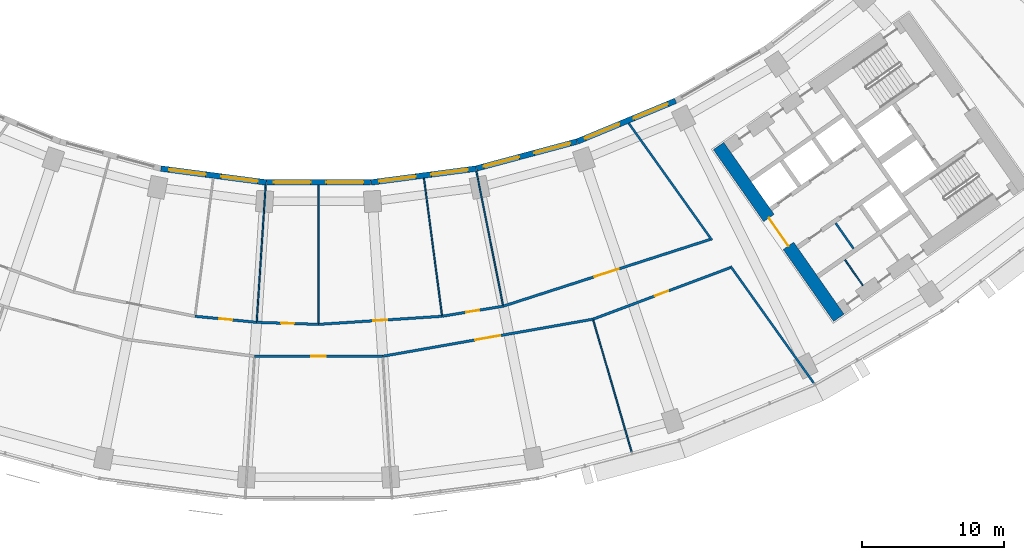
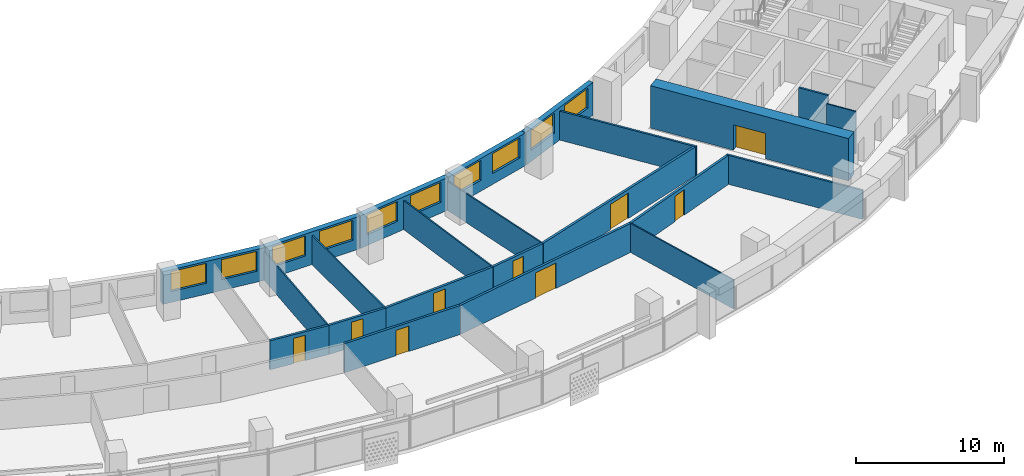
# One storey, part 6 of 29: 23 walls, 10 windows, 9 doors, 19 openings.
"""IFC4 building model written with IfcOpenShell, lengths in metres."""

from ifc_helpers import new_model, si_unit, direction, frame, frame_2d, origin, place, context, subcontext, project, spatial, rectangle, extrude, material, layer, layer_set, type_object, element, fill, save


model = new_model("IFC4")

# Units and contexts
model_context = context("Model", 3, precision=1e-05, world=origin(), true_north=direction((0.0, 1.0)))
body_context = subcontext(model_context, "Body", "Model", "MODEL_VIEW")
ifc_project = project(units=[si_unit("LENGTHUNIT", "METRE"), si_unit("AREAUNIT", "SQUARE_METRE"), si_unit("VOLUMEUNIT", "CUBIC_METRE"), si_unit("PLANEANGLEUNIT", "RADIAN"), si_unit("MASSUNIT", "GRAM", prefix="KILO")], contexts=[model_context])

# Site, building, storey
site_placement = place(None, origin())
site = spatial("IfcSite", under=ifc_project, at=site_placement, CompositionType="ELEMENT")
building_placement = place(site_placement, origin())
building = spatial("IfcBuilding", under=site, at=building_placement, Name="Qamariyya Broadcast Tower", CompositionType="ELEMENT")
storey_placement = place(building_placement, frame((0.0, 0.0, 129.10009765625)))
storey = spatial("IfcBuildingStorey", under=building, at=storey_placement, Name="L29", CompositionType="ELEMENT", Elevation=129.10009765625)

# Wall, opening, door
ifc_material_1 = material(Name="Concrete C70/85", Category="concrete")
ifc_layer_1 = layer(ifc_material_1, 0.89990234375)
ifc_layer_set_1 = layer_set([ifc_layer_1], Name="Core wall 900 mm Concrete C70/85")
wall_type_1 = type_object("IfcWallType", Name="Core wall 900 mm Concrete C70/85", PredefinedType="SHEAR", material=ifc_layer_set_1)
wall_1_placement = place(storey_placement, frame((36.716796875, -66.3369140625, 0.0), z_axis=(0.0, 0.0, 1.0), x_axis=(-0.573577477574, 0.819151315216, 0.0)))
wall_1 = element("IfcWall", 1, at=wall_1_placement, inside=storey, type_object=wall_type_1, Name="k-E-L29-WA", PredefinedType="SHEAR", context=body_context, shape_type="SweptSolid", body=[
    extrude(rectangle(XDim=14.800048828125, YDim=0.89990234375, at=frame_2d((7.39990234375, 0.0))), origin(), (0.0, 0.0, 1.0), 3.5),
])
opening_1_placement = place(wall_1_placement, frame((6.199951171875, 0.0, 0.0)))
opening_1 = element("IfcOpeningElement", 2, at=opening_1_placement, cuts=wall_1, Name="Opening KD3-E1", PredefinedType="OPENING", context=body_context, shape_type="SweptSolid", body=[
    extrude(rectangle(XDim=2.39990234375, YDim=2.10009765625, at=frame_2d((1.199951171875, 1.050048828125))), frame((0.0, 0.4599609375, 0.0), z_axis=(0.0, -1.0, 0.0), x_axis=(1.0, 0.0, 0.0)), (0.0, 0.0, 1.0), 0.919921875),
])
ifc_material_2 = material(Name="Steel fire-resisting door leaf", Category="steel")
door_type_1 = type_object("IfcDoorType", Name="Lift lobby door KD3", OperationType="DOUBLE_DOOR_SINGLE_SWING", PredefinedType="DOOR", material=ifc_material_2)
door_1_placement = place(opening_1_placement, origin())
door_1 = element("IfcDoor", 3, at=door_1_placement, inside=storey, type_object=door_type_1, Name="k-E-L29-WA-D1", OperationType="DOUBLE_DOOR_SINGLE_SWING", OverallHeight=2.10009765625, OverallWidth=2.39990234375, PredefinedType="DOOR", context=body_context, shape_type="SweptSolid", body=[
    extrude(rectangle(XDim=2.39990234375, YDim=2.10009765625, at=frame_2d((1.199951171875, 1.050048828125))), frame((0.0, 0.02490234375, 0.0), z_axis=(0.0, -1.0, 0.0), x_axis=(1.0, 0.0, 0.0)), (0.0, 0.0, 1.0), 0.050048828125),
])
fill(opening_1, door_1)

# Walls
ifc_material_3 = material(Name="Gypsum board partition")
ifc_layer_2 = layer(ifc_material_3, 0.14990234375)
ifc_layer_set_2 = layer_set([ifc_layer_2], Name="Corridor partition 150 EI 60")
wall_type_2 = type_object("IfcWallType", Name="Corridor partition 150 EI 60", PredefinedType="PARTITIONING", material=ifc_layer_set_2)
wall_2_placement = place(storey_placement, frame((21.8837890625, -52.59765625, 0.0), z_axis=(0.0, 0.0, 1.0), x_axis=(0.580023139251, -0.814599998732, 0.0)))
element("IfcWall", 4, at=wall_2_placement, inside=storey, type_object=wall_type_2, Name="Partition L29-032", PredefinedType="PARTITIONING", context=body_context, shape_type="SweptSolid", body=[
    extrude(rectangle(XDim=10.135986328125, YDim=0.14990234375, at=frame_2d((5.06787109375, 0.0))), origin(), (0.0, 0.0, 1.0), 2.39990234375),
])
wall_3_placement = place(storey_placement, frame((29.075439453125, -62.697998046875, 0.0), z_axis=(0.0, 0.0, 1.0), x_axis=(0.58002146853, -0.814601188339, 0.0)))
element("IfcWall", 5, at=wall_3_placement, inside=storey, type_object=wall_type_2, Name="Partition L29-034", PredefinedType="PARTITIONING", context=body_context, shape_type="SweptSolid", body=[
    extrude(rectangle(XDim=10.14111328125, YDim=0.14990234375, at=frame_2d((5.070556640625, 0.0))), origin(), (0.0, 0.0, 1.0), 2.39990234375),
])
ifc_material_4 = material(Name="Gypsum board partition on steel studs", Category="steel")
ifc_layer_3 = layer(ifc_material_4, 0.14990234375)
ifc_layer_set_3 = layer_set([ifc_layer_3], Name="Gypsum board partition 150 mm")
wall_type_3 = type_object("IfcWallType", Name="Gypsum board partition 150 mm", PredefinedType="PARTITIONING", material=ifc_layer_set_3)
wall_4_placement = place(storey_placement, frame((36.49462890625, -59.65625, 0.0), z_axis=(0.0, 0.0, 1.0), x_axis=(0.573633636671, -0.819111989218, 0.0)))
element("IfcWall", 6, at=wall_4_placement, inside=storey, type_object=wall_type_3, Name="k-E-L29-SC320", PredefinedType="PARTITIONING", context=body_context, shape_type="SweptSolid", body=[
    extrude(rectangle(XDim=2.199951171875, YDim=0.14990234375, at=frame_2d((1.10009765625, 0.0))), origin(), (0.0, 0.0, 1.0), 3.5),
])
ifc_layer_4 = layer(ifc_material_3, 0.10009765625)
ifc_layer_set_4 = layer_set([ifc_layer_4], Name="Partition 100")
wall_type_4 = type_object("IfcWallType", Name="Partition 100", PredefinedType="PARTITIONING", material=ifc_layer_set_4)
wall_5_placement = place(storey_placement, frame((-3.734619140625, -56.977783203125, 0.0), z_axis=(0.0, 0.0, 1.0), x_axis=(-0.065392602582, -0.997859613136, 0.0)))
element("IfcWall", 7, at=wall_5_placement, inside=storey, type_object=wall_type_4, Name="Partition L29-022", PredefinedType="PARTITIONING", context=body_context, shape_type="SweptSolid", body=[
    extrude(rectangle(XDim=9.60986328125, YDim=0.10009765625, at=frame_2d((4.804931640625, 0.0))), origin(), (0.0, 0.0, 1.0), 2.39990234375),
])
for number, where, z_axis, x_axis, name in (
    (8, (0.0, -56.978515625, 0.0), (0.0, 0.0, 1.0), (0.0, -1.0, 0.0), "Partition L29-024"),
    (9, (7.437255859375, -56.4912109375, 0.0), (0.0, 0.0, 1.0), (0.130531739513, -0.991444131043, 0.0), "Partition L29-027"),
):
    element("IfcWall", number, at=place(storey_placement, frame(where, z_axis=z_axis, x_axis=x_axis)), inside=storey, type_object=wall_type_4, Name=name, PredefinedType="PARTITIONING", context=body_context, shape_type="SweptSolid", body=[
        extrude(rectangle(XDim=9.7314453125, YDim=0.10009765625, at=frame_2d((4.86572265625, 0.0))), origin(), (0.0, 0.0, 1.0), 2.39990234375),
    ])
wall_6_placement = place(storey_placement, frame((11.1396484375, -56.0029296875, 0.0), z_axis=(0.0, 0.0, 1.0), x_axis=(0.195085169116, -0.980786305365, 0.0)))
element("IfcWall", 10, at=wall_6_placement, inside=storey, type_object=wall_type_4, Name="Partition L29-029", PredefinedType="PARTITIONING", context=body_context, shape_type="SweptSolid", body=[
    extrude(rectangle(XDim=9.60986328125, YDim=0.10009765625, at=frame_2d((4.804931640625, 0.0))), origin(), (0.0, 0.0, 1.0), 2.39990234375),
])
wall_7_placement = place(storey_placement, frame((22.09423828125, -75.79443359375, 0.0), z_axis=(0.0, 0.0, 1.0), x_axis=(-0.279851497416, 0.960043300791, 0.0)))
element("IfcWall", 11, at=wall_7_placement, inside=storey, type_object=wall_type_4, Name="Partition L29-033", PredefinedType="PARTITIONING", context=body_context, shape_type="SweptSolid", body=[
    extrude(rectangle(XDim=9.6591796875, YDim=0.10009765625, at=frame_2d((4.82958984375, 0.0))), origin(), (0.0, 0.0, 1.0), 2.39990234375),
])
ifc_material_5 = material(Name="Fire-rated gypsum shaft liner on steel studs", Category="steel")
ifc_layer_5 = layer(ifc_material_5, 0.10009765625)
ifc_layer_set_5 = layer_set([ifc_layer_5], Name="Riser wall 100 mm")
wall_type_5 = type_object("IfcWallType", Name="Riser wall 100 mm", PredefinedType="PLUMBINGWALL", material=ifc_layer_set_5)
wall_8_placement = place(storey_placement, frame((37.150390625, -62.2490234375, 0.0), z_axis=(0.0, 0.0, 1.0), x_axis=(0.573633636671, -0.819111989218, 0.0)))
element("IfcWall", 12, at=wall_8_placement, inside=storey, type_object=wall_type_5, Name="k-E-L29-SP225", PredefinedType="PLUMBINGWALL", context=body_context, shape_type="SweptSolid", body=[
    extrude(rectangle(XDim=2.199951171875, YDim=0.10009765625, at=frame_2d((1.10009765625, 0.0))), origin(), (0.0, 0.0, 1.0), 3.5),
])

# Wall, opening, door
ifc_layer_6 = layer(ifc_material_3, 0.179931640625)
ifc_layer_set_6 = layer_set([ifc_layer_6], Name="Studio acoustic partition 180 EI 60")
wall_type_6 = type_object("IfcWallType", Name="Studio acoustic partition 180 EI 60", PredefinedType="PARTITIONING", material=ifc_layer_set_6)
wall_9_placement = place(storey_placement, frame((-8.71923828125, -66.228515625, 0.0), z_axis=(0.0, 0.0, 1.0), x_axis=(0.995184826457, -0.098016127192, 0.0)))
wall_9 = element("IfcWall", 13, at=wall_9_placement, inside=storey, type_object=wall_type_6, Name="Partition L29-017", PredefinedType="PARTITIONING", context=body_context, shape_type="SweptSolid", body=[
    extrude(rectangle(XDim=4.371337890625, YDim=0.179931640625, at=frame_2d((2.185546875, 0.0))), origin(), (0.0, 0.0, 1.0), 2.39990234375),
])
opening_2_placement = place(wall_9_placement, frame((1.735595703125, 0.0, 0.0)))
opening_2 = element("IfcOpeningElement", 14, at=opening_2_placement, cuts=wall_9, Name="Opening L29-D08", PredefinedType="OPENING", context=body_context, shape_type="SweptSolid", body=[
    extrude(rectangle(XDim=0.89990234375, YDim=2.10009765625, at=frame_2d((0.449951171875, 1.050048828125))), frame((0.0, 0.099853515625, 0.0), z_axis=(0.0, -1.0, 0.0), x_axis=(1.0, 0.0, 0.0)), (0.0, 0.0, 1.0), 0.199951171875),
])
ifc_material_6 = material(Name="Timber fire door leaf", Category="wood")
door_type_2 = type_object("IfcDoorType", Name="Fire door 900 x 2100 FD60", OperationType="NOTDEFINED", PredefinedType="DOOR", material=ifc_material_6)
door_2_placement = place(opening_2_placement, origin())
door_2 = element("IfcDoor", 15, at=door_2_placement, inside=storey, type_object=door_type_2, Name="Door L29-D08", OperationType="SINGLE_SWING_RIGHT", OverallHeight=2.10009765625, OverallWidth=0.89990234375, PredefinedType="DOOR", context=body_context, shape_type="SweptSolid", body=[
    extrude(rectangle(XDim=0.89990234375, YDim=2.10009765625, at=frame_2d((0.449951171875, 1.050048828125))), frame((0.0, 0.02490234375, 0.0), z_axis=(0.0, -1.0, 0.0), x_axis=(1.0, 0.0, 0.0)), (0.0, 0.0, 1.0), 0.050048828125),
])
fill(opening_2, door_2)

wall_10_placement = place(storey_placement, frame((4.52587890625, -69.0517578125, 0.0), z_axis=(0.0, 0.0, 1.0), x_axis=(-1.0, 0.0, 0.0)))
wall_10 = element("IfcWall", 16, at=wall_10_placement, inside=storey, type_object=wall_type_6, Name="Partition L29-020", PredefinedType="PARTITIONING", context=body_context, shape_type="SweptSolid", body=[
    extrude(rectangle(XDim=9.0517578125, YDim=0.179931640625, at=frame_2d((4.52587890625, 0.0))), origin(), (0.0, 0.0, 1.0), 2.39990234375),
])
opening_3_placement = place(wall_10_placement, frame((4.02587890625, 0.0, 0.0)))
opening_3 = element("IfcOpeningElement", 17, at=opening_3_placement, cuts=wall_10, Name="Opening L29-D03", PredefinedType="OPENING", context=body_context, shape_type="SweptSolid", body=[
    extrude(rectangle(XDim=1.0, YDim=2.10009765625, at=frame_2d((0.5, 1.050048828125))), frame((0.0, 0.099853515625, 0.0), z_axis=(0.0, -1.0, 0.0), x_axis=(1.0, 0.0, 0.0)), (0.0, 0.0, 1.0), 0.199951171875),
])
door_type_3 = type_object("IfcDoorType", Name="Fire door 1000 x 2100 FD60", OperationType="NOTDEFINED", PredefinedType="DOOR", material=ifc_material_6)
door_3_placement = place(opening_3_placement, origin())
door_3 = element("IfcDoor", 18, at=door_3_placement, inside=storey, type_object=door_type_3, Name="Door L29-D03", OperationType="SINGLE_SWING_RIGHT", OverallHeight=2.10009765625, OverallWidth=1.0, PredefinedType="DOOR", context=body_context, shape_type="SweptSolid", body=[
    extrude(rectangle(XDim=1.0, YDim=2.10009765625, at=frame_2d((0.5, 1.050048828125))), frame((0.0, 0.02490234375, 0.0), z_axis=(0.0, -1.0, 0.0), x_axis=(1.0, 0.0, 0.0)), (0.0, 0.0, 1.0), 0.050048828125),
])
fill(opening_3, door_3)

wall_11_placement = place(storey_placement, frame((-4.368896484375, -66.656982421875, 0.0), z_axis=(0.0, 0.0, 1.0), x_axis=(0.99946426167, -0.03272903366, 0.0)))
wall_11 = element("IfcWall", 19, at=wall_11_placement, inside=storey, type_object=wall_type_6, Name="Partition L29-021", PredefinedType="PARTITIONING", context=body_context, shape_type="SweptSolid", body=[
    extrude(rectangle(XDim=4.371337890625, YDim=0.179931640625, at=frame_2d((2.185546875, 0.0))), origin(), (0.0, 0.0, 1.0), 2.39990234375),
])
opening_4_placement = place(wall_11_placement, frame((1.735595703125, 0.0, 0.0)))
opening_4 = element("IfcOpeningElement", 20, at=opening_4_placement, cuts=wall_11, Name="Opening L29-D09", PredefinedType="OPENING", context=body_context, shape_type="SweptSolid", body=[
    extrude(rectangle(XDim=0.89990234375, YDim=2.10009765625, at=frame_2d((0.449951171875, 1.050048828125))), frame((0.0, 0.099853515625, 0.0), z_axis=(0.0, -1.0, 0.0), x_axis=(1.0, 0.0, 0.0)), (0.0, 0.0, 1.0), 0.199951171875),
])
door_4_placement = place(opening_4_placement, origin())
door_4 = element("IfcDoor", 21, at=door_4_placement, inside=storey, type_object=door_type_2, Name="Door L29-D09", OperationType="SINGLE_SWING_RIGHT", OverallHeight=2.10009765625, OverallWidth=0.89990234375, PredefinedType="DOOR", context=body_context, shape_type="SweptSolid", body=[
    extrude(rectangle(XDim=0.89990234375, YDim=2.10009765625, at=frame_2d((0.449951171875, 1.050048828125))), frame((0.0, 0.02490234375, 0.0), z_axis=(0.0, -1.0, 0.0), x_axis=(1.0, 0.0, 0.0)), (0.0, 0.0, 1.0), 0.050048828125),
])
fill(opening_4, door_4)

wall_12_placement = place(storey_placement, frame((0.0, -66.800048828125, 0.0), z_axis=(0.0, 0.0, 1.0), x_axis=(0.997858593599, 0.065408158359, 0.0)))
wall_12 = element("IfcWall", 22, at=wall_12_placement, inside=storey, type_object=wall_type_6, Name="Partition L29-023", PredefinedType="PARTITIONING", context=body_context, shape_type="SweptSolid", body=[
    extrude(rectangle(XDim=8.738037109375, YDim=0.179931640625, at=frame_2d((4.369140625, 0.0))), origin(), (0.0, 0.0, 1.0), 2.39990234375),
])
opening_5_placement = place(wall_12_placement, frame((3.868896484375, 0.0, 0.0)))
opening_5 = element("IfcOpeningElement", 23, at=opening_5_placement, cuts=wall_12, Name="Opening L29-D10", PredefinedType="OPENING", context=body_context, shape_type="SweptSolid", body=[
    extrude(rectangle(XDim=1.0, YDim=2.10009765625, at=frame_2d((0.5, 1.050048828125))), frame((0.0, 0.099853515625, 0.0), z_axis=(0.0, -1.0, 0.0), x_axis=(1.0, 0.0, 0.0)), (0.0, 0.0, 1.0), 0.199951171875),
])
door_5_placement = place(opening_5_placement, origin())
door_5 = element("IfcDoor", 24, at=door_5_placement, inside=storey, type_object=door_type_3, Name="Door L29-D10", OperationType="SINGLE_SWING_RIGHT", OverallHeight=2.10009765625, OverallWidth=1.0, PredefinedType="DOOR", context=body_context, shape_type="SweptSolid", body=[
    extrude(rectangle(XDim=1.0, YDim=2.10009765625, at=frame_2d((0.5, 1.050048828125))), frame((0.0, 0.02490234375, 0.0), z_axis=(0.0, -1.0, 0.0), x_axis=(1.0, 0.0, 0.0)), (0.0, 0.0, 1.0), 0.050048828125),
])
fill(opening_5, door_5)

wall_13_placement = place(storey_placement, frame((19.365966796875, -66.434814453125, 0.0), z_axis=(0.0, 0.0, 1.0), x_axis=(-0.984805080703, -0.173663332402, 0.0)))
wall_13 = element("IfcWall", 25, at=wall_13_placement, inside=storey, type_object=wall_type_6, Name="Partition L29-025", PredefinedType="PARTITIONING", context=body_context, shape_type="SweptSolid", body=[
    extrude(rectangle(XDim=15.069091796875, YDim=0.179931640625, at=frame_2d((7.53466796875, 0.0))), origin(), (0.0, 0.0, 1.0), 2.39990234375),
])
opening_6_placement = place(wall_13_placement, frame((6.634521484375, 0.0, 0.0)))
opening_6 = element("IfcOpeningElement", 26, at=opening_6_placement, cuts=wall_13, Name="Opening L29-D04", PredefinedType="OPENING", context=body_context, shape_type="SweptSolid", body=[
    extrude(rectangle(XDim=1.800048828125, YDim=2.10009765625, at=frame_2d((0.89990234375, 1.050048828125))), frame((0.0, 0.099853515625, 0.0), z_axis=(0.0, -1.0, 0.0), x_axis=(1.0, 0.0, 0.0)), (0.0, 0.0, 1.0), 0.199951171875),
])
door_type_4 = type_object("IfcDoorType", Name="Double fire door 1800 x 2100 FD60", OperationType="NOTDEFINED", PredefinedType="DOOR", material=ifc_material_6)
door_6_placement = place(opening_6_placement, origin())
door_6 = element("IfcDoor", 27, at=door_6_placement, inside=storey, type_object=door_type_4, Name="Door L29-D04", OperationType="DOUBLE_DOOR_SINGLE_SWING", OverallHeight=2.10009765625, OverallWidth=1.800048828125, PredefinedType="DOOR", context=body_context, shape_type="SweptSolid", body=[
    extrude(rectangle(XDim=1.800048828125, YDim=2.10009765625, at=frame_2d((0.89990234375, 1.050048828125))), frame((0.0, 0.02490234375, 0.0), z_axis=(0.0, -1.0, 0.0), x_axis=(1.0, 0.0, 0.0)), (0.0, 0.0, 1.0), 0.050048828125),
])
fill(opening_6, door_6)

wall_14_placement = place(storey_placement, frame((8.71923828125, -66.228515625, 0.0), z_axis=(0.0, 0.0, 1.0), x_axis=(0.986638873051, 0.162922479065, 0.0)))
wall_14 = element("IfcWall", 28, at=wall_14_placement, inside=storey, type_object=wall_type_6, Name="Partition L29-028", PredefinedType="PARTITIONING", context=body_context, shape_type="SweptSolid", body=[
    extrude(rectangle(XDim=4.37109375, YDim=0.179931640625, at=frame_2d((2.185546875, 0.0))), origin(), (0.0, 0.0, 1.0), 2.39990234375),
])
opening_7_placement = place(wall_14_placement, frame((1.735595703125, 0.0, 0.0)))
opening_7 = element("IfcOpeningElement", 29, at=opening_7_placement, cuts=wall_14, Name="Opening L29-D11", PredefinedType="OPENING", context=body_context, shape_type="SweptSolid", body=[
    extrude(rectangle(XDim=0.89990234375, YDim=2.10009765625, at=frame_2d((0.449951171875, 1.050048828125))), frame((0.0, 0.099853515625, 0.0), z_axis=(0.0, -1.0, 0.0), x_axis=(1.0, 0.0, 0.0)), (0.0, 0.0, 1.0), 0.199951171875),
])
door_7_placement = place(opening_7_placement, origin())
door_7 = element("IfcDoor", 30, at=door_7_placement, inside=storey, type_object=door_type_2, Name="Door L29-D11", OperationType="SINGLE_SWING_RIGHT", OverallHeight=2.10009765625, OverallWidth=0.89990234375, PredefinedType="DOOR", context=body_context, shape_type="SweptSolid", body=[
    extrude(rectangle(XDim=0.89990234375, YDim=2.10009765625, at=frame_2d((0.449951171875, 1.050048828125))), frame((0.0, 0.02490234375, 0.0), z_axis=(0.0, -1.0, 0.0), x_axis=(1.0, 0.0, 0.0)), (0.0, 0.0, 1.0), 0.050048828125),
])
fill(opening_7, door_7)

wall_15_placement = place(storey_placement, frame((13.031982421875, -65.516357421875, 0.0), z_axis=(0.0, 0.0, 1.0), x_axis=(0.951705469381, 0.307012539729, 0.0)))
wall_15 = element("IfcWall", 31, at=wall_15_placement, inside=storey, type_object=wall_type_6, Name="Partition L29-030", PredefinedType="PARTITIONING", context=body_context, shape_type="SweptSolid", body=[
    extrude(rectangle(XDim=15.348388671875, YDim=0.179931640625, at=frame_2d((7.67431640625, 0.0))), origin(), (0.0, 0.0, 1.0), 2.39990234375),
])
opening_8_placement = place(wall_15_placement, frame((6.774169921875, 0.0, 0.0)))
opening_8 = element("IfcOpeningElement", 32, at=opening_8_placement, cuts=wall_15, Name="Opening L29-D12", PredefinedType="OPENING", context=body_context, shape_type="SweptSolid", body=[
    extrude(rectangle(XDim=1.800048828125, YDim=2.10009765625, at=frame_2d((0.89990234375, 1.050048828125))), frame((0.0, 0.099853515625, 0.0), z_axis=(0.0, -1.0, 0.0), x_axis=(1.0, 0.0, 0.0)), (0.0, 0.0, 1.0), 0.199951171875),
])
door_8_placement = place(opening_8_placement, origin())
door_8 = element("IfcDoor", 33, at=door_8_placement, inside=storey, type_object=door_type_4, Name="Door L29-D12", OperationType="DOUBLE_DOOR_SINGLE_SWING", OverallHeight=2.10009765625, OverallWidth=1.800048828125, PredefinedType="DOOR", context=body_context, shape_type="SweptSolid", body=[
    extrude(rectangle(XDim=1.800048828125, YDim=2.10009765625, at=frame_2d((0.89990234375, 1.050048828125))), frame((0.0, 0.02490234375, 0.0), z_axis=(0.0, -1.0, 0.0), x_axis=(1.0, 0.0, 0.0)), (0.0, 0.0, 1.0), 0.050048828125),
])
fill(opening_8, door_8)

wall_16_placement = place(storey_placement, frame((29.057373046875, -62.797607421875, 0.0), z_axis=(0.0, 0.0, 1.0), x_axis=(-0.936236096431, -0.351371557956, 0.0)))
wall_16 = element("IfcWall", 34, at=wall_16_placement, inside=storey, type_object=wall_type_6, Name="Partition L29-031", PredefinedType="PARTITIONING", context=body_context, shape_type="SweptSolid", body=[
    extrude(rectangle(XDim=10.3515625, YDim=0.179931640625, at=frame_2d((5.17578125, 0.0))), origin(), (0.0, 0.0, 1.0), 2.39990234375),
])
opening_9_placement = place(wall_16_placement, frame((4.67578125, 0.0, 0.0)))
opening_9 = element("IfcOpeningElement", 35, at=opening_9_placement, cuts=wall_16, Name="Opening L29-D05", PredefinedType="OPENING", context=body_context, shape_type="SweptSolid", body=[
    extrude(rectangle(XDim=1.0, YDim=2.10009765625, at=frame_2d((0.5, 1.050048828125))), frame((0.0, 0.099853515625, 0.0), z_axis=(0.0, -1.0, 0.0), x_axis=(1.0, 0.0, 0.0)), (0.0, 0.0, 1.0), 0.199951171875),
])
door_9_placement = place(opening_9_placement, origin())
door_9 = element("IfcDoor", 36, at=door_9_placement, inside=storey, type_object=door_type_3, Name="Door L29-D05", OperationType="SINGLE_SWING_RIGHT", OverallHeight=2.10009765625, OverallWidth=1.0, PredefinedType="DOOR", context=body_context, shape_type="SweptSolid", body=[
    extrude(rectangle(XDim=1.0, YDim=2.10009765625, at=frame_2d((0.5, 1.050048828125))), frame((0.0, 0.02490234375, 0.0), z_axis=(0.0, -1.0, 0.0), x_axis=(1.0, 0.0, 0.0)), (0.0, 0.0, 1.0), 0.050048828125),
])
fill(opening_9, door_9)

# Wall, openings, windows
ifc_material_7 = material(Name="Terracotta", Category="masonry")
ifc_layer_7 = layer(ifc_material_7, 0.39990234375)
ifc_layer_set_7 = layer_set([ifc_layer_7], Name="Terracotta clad wall 400")
wall_type_7 = type_object("IfcWallType", Name="Terracotta clad wall 400", PredefinedType="SOLIDWALL", material=ifc_layer_set_7)
wall_17_placement = place(storey_placement, frame((11.12548828125, -55.803955078125, 0.0), z_axis=(0.0, 0.0, 1.0), x_axis=(-0.991444533306, -0.130528684121, 0.0)))
wall_17 = element("IfcWall", 37, at=wall_17_placement, inside=storey, type_object=wall_type_7, Name="e-wl-L29-in100", PredefinedType="SOLIDWALL", context=body_context, shape_type="SweptSolid", body=[
    extrude(rectangle(XDim=7.492919921875, YDim=0.39990234375, at=frame_2d((3.74658203125, 0.0))), origin(), (0.0, 0.0, 1.0), 2.699951171875),
])
opening_10_placement = place(wall_17_placement, frame((4.300537109375, 0.0, 0.89990234375)))
opening_10 = element("IfcOpeningElement", 38, at=opening_10_placement, cuts=wall_17, Name="Opening W1", PredefinedType="OPENING", context=body_context, shape_type="SweptSolid", body=[
    extrude(rectangle(XDim=2.60009765625, YDim=1.64990234375, at=frame_2d((1.300048828125, 0.824951171875))), frame((0.0, 0.2099609375, 0.0), z_axis=(0.0, -1.0, 0.0), x_axis=(1.0, 0.0, 0.0)), (0.0, 0.0, 1.0), 0.419921875),
])
opening_11_placement = place(wall_17_placement, frame((0.59228515625, 0.0, 0.89990234375)))
opening_11 = element("IfcOpeningElement", 39, at=opening_11_placement, cuts=wall_17, Name="Opening W1", PredefinedType="OPENING", context=body_context, shape_type="SweptSolid", body=[
    extrude(rectangle(XDim=2.60009765625, YDim=1.64990234375, at=frame_2d((1.300048828125, 0.824951171875))), frame((0.0, 0.2099609375, 0.0), z_axis=(0.0, -1.0, 0.0), x_axis=(1.0, 0.0, 0.0)), (0.0, 0.0, 1.0), 0.419921875),
])
ifc_material_8 = material(Name="Clear low-e double glazed unit in aluminium frame", Category="aluminium")
window_type = type_object("IfcWindowType", Name="Ribbon window 2600 x 1650", PartitioningType="SINGLE_PANEL", PredefinedType="WINDOW", material=ifc_material_8)
window_1_placement = place(opening_10_placement, origin())
window_1 = element("IfcWindow", 40, at=window_1_placement, inside=storey, type_object=window_type, Name="e-w-L29-in10-0", OverallHeight=1.64990234375, OverallWidth=2.60009765625, PartitioningType="SINGLE_PANEL", PredefinedType="WINDOW", context=body_context, shape_type="SweptSolid", body=[
    extrude(rectangle(XDim=2.60009765625, YDim=1.64990234375, at=frame_2d((1.300048828125, 0.824951171875))), frame((0.0, 0.030029296875, 0.0), z_axis=(0.0, -1.0, 0.0), x_axis=(1.0, 0.0, 0.0)), (0.0, 0.0, 1.0), 0.06005859375),
])
fill(opening_10, window_1)
window_2_placement = place(opening_11_placement, origin())
window_2 = element("IfcWindow", 41, at=window_2_placement, inside=storey, type_object=window_type, Name="e-w-L29-in10-1", OverallHeight=1.64990234375, OverallWidth=2.60009765625, PartitioningType="SINGLE_PANEL", PredefinedType="WINDOW", context=body_context, shape_type="SweptSolid", body=[
    extrude(rectangle(XDim=2.60009765625, YDim=1.64990234375, at=frame_2d((1.300048828125, 0.824951171875))), frame((0.0, 0.030029296875, 0.0), z_axis=(0.0, -1.0, 0.0), x_axis=(1.0, 0.0, 0.0)), (0.0, 0.0, 1.0), 0.06005859375),
])
fill(opening_11, window_2)

wall_18_placement = place(storey_placement, frame((18.240966796875, -53.893798828125, 0.0), z_axis=(0.0, 0.0, 1.0), x_axis=(-0.965924597867, -0.258823629594, 0.0)))
wall_18 = element("IfcWall", 42, at=wall_18_placement, inside=storey, type_object=wall_type_7, Name="e-wl-L29-in110", PredefinedType="SOLIDWALL", context=body_context, shape_type="SweptSolid", body=[
    extrude(rectangle(XDim=7.341552734375, YDim=0.39990234375, at=frame_2d((3.6708984375, 0.0))), origin(), (0.0, 0.0, 1.0), 2.699951171875),
])
opening_12_placement = place(wall_18_placement, frame((4.224853515625, 0.0, 0.89990234375)))
opening_12 = element("IfcOpeningElement", 43, at=opening_12_placement, cuts=wall_18, Name="Opening W1", PredefinedType="OPENING", context=body_context, shape_type="SweptSolid", body=[
    extrude(rectangle(XDim=2.60009765625, YDim=1.64990234375, at=frame_2d((1.300048828125, 0.824951171875))), frame((0.0, 0.2099609375, 0.0), z_axis=(0.0, -1.0, 0.0), x_axis=(1.0, 0.0, 0.0)), (0.0, 0.0, 1.0), 0.419921875),
])
opening_13_placement = place(wall_18_placement, frame((0.5166015625, 0.0, 0.89990234375)))
opening_13 = element("IfcOpeningElement", 44, at=opening_13_placement, cuts=wall_18, Name="Opening W1", PredefinedType="OPENING", context=body_context, shape_type="SweptSolid", body=[
    extrude(rectangle(XDim=2.60009765625, YDim=1.64990234375, at=frame_2d((1.300048828125, 0.824951171875))), frame((0.0, 0.2099609375, 0.0), z_axis=(0.0, -1.0, 0.0), x_axis=(1.0, 0.0, 0.0)), (0.0, 0.0, 1.0), 0.419921875),
])
window_3_placement = place(opening_12_placement, origin())
window_3 = element("IfcWindow", 45, at=window_3_placement, inside=storey, type_object=window_type, Name="e-w-L29-in11-0", OverallHeight=1.64990234375, OverallWidth=2.60009765625, PartitioningType="SINGLE_PANEL", PredefinedType="WINDOW", context=body_context, shape_type="SweptSolid", body=[
    extrude(rectangle(XDim=2.60009765625, YDim=1.64990234375, at=frame_2d((1.300048828125, 0.824951171875))), frame((0.0, 0.030029296875, 0.0), z_axis=(0.0, -1.0, 0.0), x_axis=(1.0, 0.0, 0.0)), (0.0, 0.0, 1.0), 0.06005859375),
])
fill(opening_12, window_3)
window_4_placement = place(opening_13_placement, origin())
window_4 = element("IfcWindow", 46, at=window_4_placement, inside=storey, type_object=window_type, Name="e-w-L29-in11-1", OverallHeight=1.64990234375, OverallWidth=2.60009765625, PartitioningType="SINGLE_PANEL", PredefinedType="WINDOW", context=body_context, shape_type="SweptSolid", body=[
    extrude(rectangle(XDim=2.60009765625, YDim=1.64990234375, at=frame_2d((1.300048828125, 0.824951171875))), frame((0.0, 0.030029296875, 0.0), z_axis=(0.0, -1.0, 0.0), x_axis=(1.0, 0.0, 0.0)), (0.0, 0.0, 1.0), 0.06005859375),
])
fill(opening_13, window_4)

wall_19_placement = place(storey_placement, frame((25.189453125, -51.02294921875, 0.0), z_axis=(0.0, 0.0, 1.0), x_axis=(-0.923879826967, -0.382682721486, 0.0)))
wall_19 = element("IfcWall", 47, at=wall_19_placement, inside=storey, type_object=wall_type_7, Name="e-wl-L29-in120", PredefinedType="SOLIDWALL", context=body_context, shape_type="SweptSolid", body=[
    extrude(rectangle(XDim=7.492919921875, YDim=0.39990234375, at=frame_2d((3.74658203125, 0.0))), origin(), (0.0, 0.0, 1.0), 2.699951171875),
])
opening_14_placement = place(wall_19_placement, frame((4.300537109375, 0.0, 0.89990234375)))
opening_14 = element("IfcOpeningElement", 48, at=opening_14_placement, cuts=wall_19, Name="Opening W1", PredefinedType="OPENING", context=body_context, shape_type="SweptSolid", body=[
    extrude(rectangle(XDim=2.60009765625, YDim=1.64990234375, at=frame_2d((1.300048828125, 0.824951171875))), frame((0.0, 0.2099609375, 0.0), z_axis=(0.0, -1.0, 0.0), x_axis=(1.0, 0.0, 0.0)), (0.0, 0.0, 1.0), 0.419921875),
])
opening_15_placement = place(wall_19_placement, frame((0.59228515625, 0.0, 0.89990234375)))
opening_15 = element("IfcOpeningElement", 49, at=opening_15_placement, cuts=wall_19, Name="Opening W1", PredefinedType="OPENING", context=body_context, shape_type="SweptSolid", body=[
    extrude(rectangle(XDim=2.60009765625, YDim=1.64990234375, at=frame_2d((1.300048828125, 0.824951171875))), frame((0.0, 0.2099609375, 0.0), z_axis=(0.0, -1.0, 0.0), x_axis=(1.0, 0.0, 0.0)), (0.0, 0.0, 1.0), 0.419921875),
])
window_5_placement = place(opening_14_placement, origin())
window_5 = element("IfcWindow", 50, at=window_5_placement, inside=storey, type_object=window_type, Name="e-w-L29-in12-0", OverallHeight=1.64990234375, OverallWidth=2.60009765625, PartitioningType="SINGLE_PANEL", PredefinedType="WINDOW", context=body_context, shape_type="SweptSolid", body=[
    extrude(rectangle(XDim=2.60009765625, YDim=1.64990234375, at=frame_2d((1.300048828125, 0.824951171875))), frame((0.0, 0.030029296875, 0.0), z_axis=(0.0, -1.0, 0.0), x_axis=(1.0, 0.0, 0.0)), (0.0, 0.0, 1.0), 0.06005859375),
])
fill(opening_14, window_5)
window_6_placement = place(opening_15_placement, origin())
window_6 = element("IfcWindow", 51, at=window_6_placement, inside=storey, type_object=window_type, Name="e-w-L29-in12-1", OverallHeight=1.64990234375, OverallWidth=2.60009765625, PartitioningType="SINGLE_PANEL", PredefinedType="WINDOW", context=body_context, shape_type="SweptSolid", body=[
    extrude(rectangle(XDim=2.60009765625, YDim=1.64990234375, at=frame_2d((1.300048828125, 0.824951171875))), frame((0.0, 0.030029296875, 0.0), z_axis=(0.0, -1.0, 0.0), x_axis=(1.0, 0.0, 0.0)), (0.0, 0.0, 1.0), 0.06005859375),
])
fill(opening_15, window_6)

wall_20_placement = place(storey_placement, frame((-3.69677734375, -56.781982421875, 0.0), z_axis=(0.0, 0.0, 1.0), x_axis=(-0.991444533306, 0.130528684121, 0.0)))
wall_20 = element("IfcWall", 52, at=wall_20_placement, inside=storey, type_object=wall_type_7, Name="e-wl-L29-in80", PredefinedType="SOLIDWALL", context=body_context, shape_type="SweptSolid", body=[
    extrude(rectangle(XDim=7.492919921875, YDim=0.39990234375, at=frame_2d((3.74658203125, 0.0))), origin(), (0.0, 0.0, 1.0), 2.699951171875),
])
opening_16_placement = place(wall_20_placement, frame((4.300537109375, 0.0, 0.89990234375)))
opening_16 = element("IfcOpeningElement", 53, at=opening_16_placement, cuts=wall_20, Name="Opening W1", PredefinedType="OPENING", context=body_context, shape_type="SweptSolid", body=[
    extrude(rectangle(XDim=2.60009765625, YDim=1.64990234375, at=frame_2d((1.300048828125, 0.824951171875))), frame((0.0, 0.2099609375, 0.0), z_axis=(0.0, -1.0, 0.0), x_axis=(1.0, 0.0, 0.0)), (0.0, 0.0, 1.0), 0.419921875),
])
opening_17_placement = place(wall_20_placement, frame((0.59228515625, 0.0, 0.89990234375)))
opening_17 = element("IfcOpeningElement", 54, at=opening_17_placement, cuts=wall_20, Name="Opening W1", PredefinedType="OPENING", context=body_context, shape_type="SweptSolid", body=[
    extrude(rectangle(XDim=2.60009765625, YDim=1.64990234375, at=frame_2d((1.300048828125, 0.824951171875))), frame((0.0, 0.2099609375, 0.0), z_axis=(0.0, -1.0, 0.0), x_axis=(1.0, 0.0, 0.0)), (0.0, 0.0, 1.0), 0.419921875),
])
window_7_placement = place(opening_16_placement, origin())
window_7 = element("IfcWindow", 55, at=window_7_placement, inside=storey, type_object=window_type, Name="e-w-L29-in08-0", OverallHeight=1.64990234375, OverallWidth=2.60009765625, PartitioningType="SINGLE_PANEL", PredefinedType="WINDOW", context=body_context, shape_type="SweptSolid", body=[
    extrude(rectangle(XDim=2.60009765625, YDim=1.64990234375, at=frame_2d((1.300048828125, 0.824951171875))), frame((0.0, 0.030029296875, 0.0), z_axis=(0.0, -1.0, 0.0), x_axis=(1.0, 0.0, 0.0)), (0.0, 0.0, 1.0), 0.06005859375),
])
fill(opening_16, window_7)
window_8_placement = place(opening_17_placement, origin())
window_8 = element("IfcWindow", 56, at=window_8_placement, inside=storey, type_object=window_type, Name="e-w-L29-in08-1", OverallHeight=1.64990234375, OverallWidth=2.60009765625, PartitioningType="SINGLE_PANEL", PredefinedType="WINDOW", context=body_context, shape_type="SweptSolid", body=[
    extrude(rectangle(XDim=2.60009765625, YDim=1.64990234375, at=frame_2d((1.300048828125, 0.824951171875))), frame((0.0, 0.030029296875, 0.0), z_axis=(0.0, -1.0, 0.0), x_axis=(1.0, 0.0, 0.0)), (0.0, 0.0, 1.0), 0.06005859375),
])
fill(opening_17, window_8)

wall_21_placement = place(storey_placement, frame((3.670654296875, -56.778564453125, 0.0), z_axis=(0.0, 0.0, 1.0), x_axis=(-1.0, 0.0, 0.0)))
wall_21 = element("IfcWall", 57, at=wall_21_placement, inside=storey, type_object=wall_type_7, Name="e-wl-L29-in90", PredefinedType="SOLIDWALL", context=body_context, shape_type="SweptSolid", body=[
    extrude(rectangle(XDim=7.34130859375, YDim=0.39990234375, at=frame_2d((3.670654296875, 0.0))), origin(), (0.0, 0.0, 1.0), 2.699951171875),
])
opening_18_placement = place(wall_21_placement, frame((4.224853515625, 0.0, 0.89990234375)))
opening_18 = element("IfcOpeningElement", 58, at=opening_18_placement, cuts=wall_21, Name="Opening W1", PredefinedType="OPENING", context=body_context, shape_type="SweptSolid", body=[
    extrude(rectangle(XDim=2.60009765625, YDim=1.64990234375, at=frame_2d((1.300048828125, 0.824951171875))), frame((0.0, 0.2099609375, 0.0), z_axis=(0.0, -1.0, 0.0), x_axis=(1.0, 0.0, 0.0)), (0.0, 0.0, 1.0), 0.419921875),
])
opening_19_placement = place(wall_21_placement, frame((0.5166015625, 0.0, 0.89990234375)))
opening_19 = element("IfcOpeningElement", 59, at=opening_19_placement, cuts=wall_21, Name="Opening W1", PredefinedType="OPENING", context=body_context, shape_type="SweptSolid", body=[
    extrude(rectangle(XDim=2.60009765625, YDim=1.64990234375, at=frame_2d((1.300048828125, 0.824951171875))), frame((0.0, 0.2099609375, 0.0), z_axis=(0.0, -1.0, 0.0), x_axis=(1.0, 0.0, 0.0)), (0.0, 0.0, 1.0), 0.419921875),
])
window_9_placement = place(opening_18_placement, origin())
window_9 = element("IfcWindow", 60, at=window_9_placement, inside=storey, type_object=window_type, Name="e-w-L29-in09-0", OverallHeight=1.64990234375, OverallWidth=2.60009765625, PartitioningType="SINGLE_PANEL", PredefinedType="WINDOW", context=body_context, shape_type="SweptSolid", body=[
    extrude(rectangle(XDim=2.60009765625, YDim=1.64990234375, at=frame_2d((1.300048828125, 0.824951171875))), frame((0.0, 0.030029296875, 0.0), z_axis=(0.0, -1.0, 0.0), x_axis=(1.0, 0.0, 0.0)), (0.0, 0.0, 1.0), 0.06005859375),
])
fill(opening_18, window_9)
window_10_placement = place(opening_19_placement, origin())
window_10 = element("IfcWindow", 61, at=window_10_placement, inside=storey, type_object=window_type, Name="e-w-L29-in09-1", OverallHeight=1.64990234375, OverallWidth=2.60009765625, PartitioningType="SINGLE_PANEL", PredefinedType="WINDOW", context=body_context, shape_type="SweptSolid", body=[
    extrude(rectangle(XDim=2.60009765625, YDim=1.64990234375, at=frame_2d((1.300048828125, 0.824951171875))), frame((0.0, 0.030029296875, 0.0), z_axis=(0.0, -1.0, 0.0), x_axis=(1.0, 0.0, 0.0)), (0.0, 0.0, 1.0), 0.06005859375),
])
fill(opening_19, window_10)

save(model, "model.ifc")
